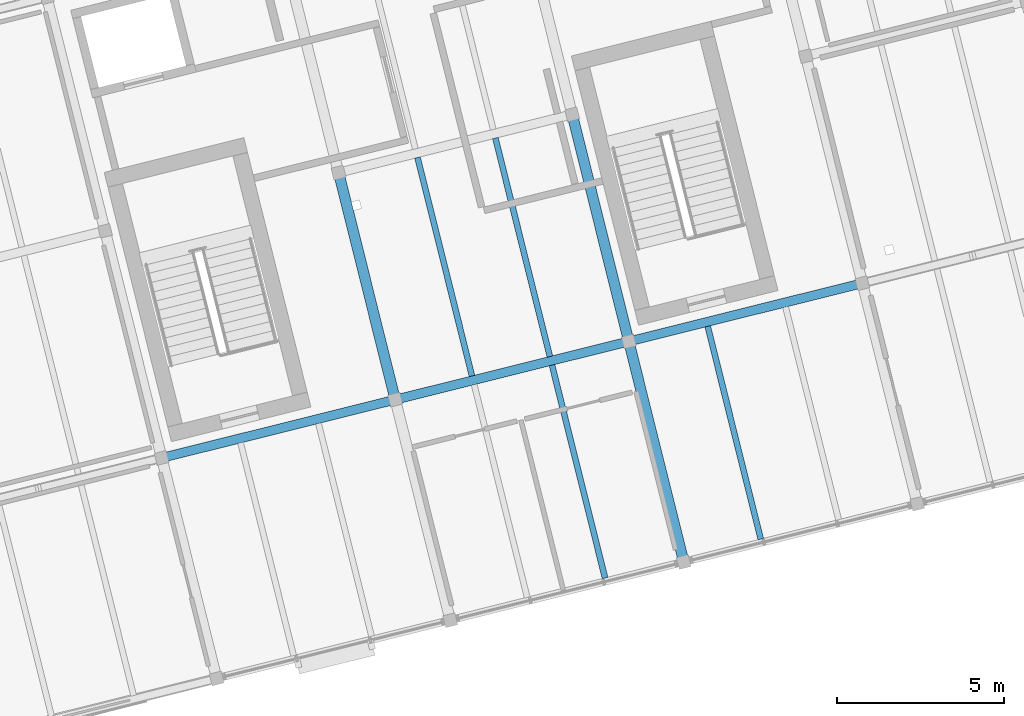
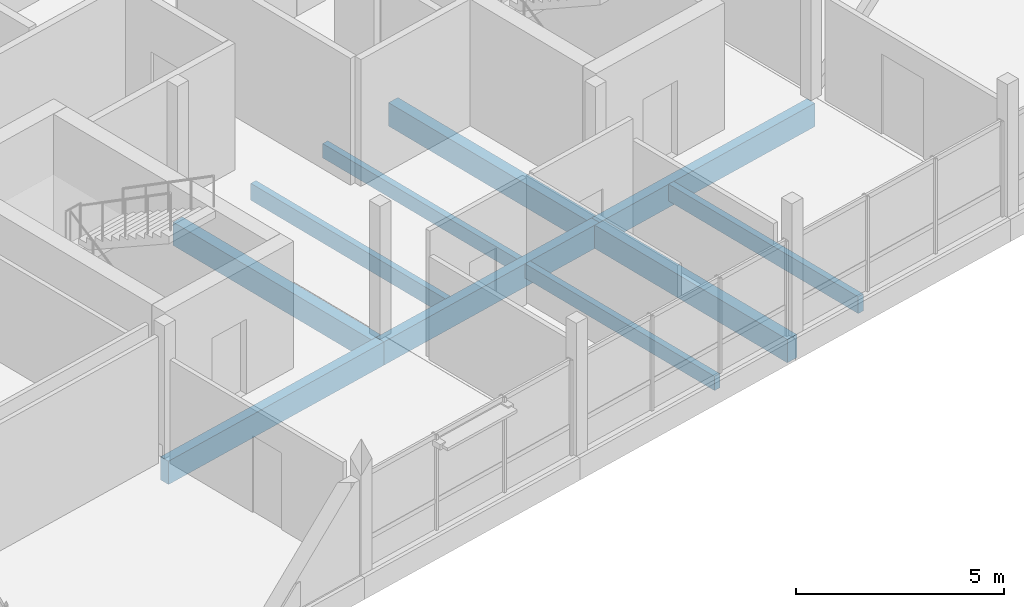
# One storey, part 6 of 28: 10 beams.
"""IFC4 building model written with IfcOpenShell, lengths in metres."""

from ifc_helpers import new_model, si_unit, direction, frame, origin, origin_2d, place, context, subcontext, project, spatial, rectangle, extrude, material, material_profile, profile_set, type_object, element, save


model = new_model("IFC4")

# Units and contexts
model_context = context("Model", 3, precision=1e-05, world=origin(), true_north=direction((0.0, 1.0)))
body_context = subcontext(model_context, "Body", "Model", "MODEL_VIEW")
ifc_project = project(units=[si_unit("LENGTHUNIT", "METRE"), si_unit("AREAUNIT", "SQUARE_METRE"), si_unit("VOLUMEUNIT", "CUBIC_METRE"), si_unit("PLANEANGLEUNIT", "RADIAN"), si_unit("MASSUNIT", "GRAM", prefix="KILO")], contexts=[model_context])

# Site, building, storey
site_placement = place(None, origin())
site = spatial("IfcSite", under=ifc_project, at=site_placement, CompositionType="ELEMENT")
building_placement = place(site_placement, origin())
building = spatial("IfcBuilding", under=site, at=building_placement, Name="Meriwether Solvik Hall", CompositionType="ELEMENT")
storey_placement = place(building_placement, frame((0.0, 0.0, 37.800048828125)))
storey = spatial("IfcBuildingStorey", under=building, at=storey_placement, Name="L09", CompositionType="ELEMENT", Elevation=37.800048828125)

# Beams
ifc_material_1 = material(Name="Glulam Douglas-Fir 24F-V8 GL28h", Category="wood")
ifc_material_profile_1 = material_profile(ifc_material_1, rectangle(XDim=0.27294921875, YDim=0.68505859375, at=origin_2d()), Name="GLB-273X685")
ifc_profile_set_1 = profile_set([ifc_material_profile_1], Name="Glulam Douglas-Fir 24F-V8 GL28h")
beam_type_1 = type_object("IfcBeamType", Name="BM-GL-273X685", PredefinedType="BEAM", material=ifc_profile_set_1)
beam_1_placement = place(storey_placement, frame((74.3291015625, 49.63671875, -0.5224609375), z_axis=(0.970301855688, 0.241897310542, 0.0), x_axis=(-0.241897310542, 0.970301855688, 0.0)))
element("IfcBeam", 1, at=beam_1_placement, inside=storey, type_object=beam_type_1, Name="Tower Girder TB:T2-T3 (L09)", PredefinedType="BEAM", context=body_context, shape_type="SweptSolid", body=[
    extrude(rectangle(XDim=0.27294921875, YDim=0.68505859375, at=origin_2d()), origin(), (0.0, 0.0, 1.0), 7.2001953125),
])
for number, where, z_axis, x_axis, name in (
    (2, (81.3154296875, 51.37841796875, -0.5224609375), (0.970291911955, 0.241937193493, 0.0), (-0.241937193493, 0.970291911955, 0.0), "Tower Girder TB:T3-T4 (L09)"),
    (3, (88.301513671875, 53.120361328125, -0.5224609375), (0.970299871507, 0.241905269381, 0.0), (-0.241905269381, 0.970299871507, 0.0), "Tower Girder TB:T4-T5 (L09)"),
):
    element("IfcBeam", number, at=place(storey_placement, frame(where, z_axis=z_axis, x_axis=x_axis)), inside=storey, type_object=beam_type_1, Name=name, PredefinedType="BEAM", context=body_context, shape_type="SweptSolid", body=[
        extrude(rectangle(XDim=0.27294921875, YDim=0.68505859375, at=origin_2d()), origin(), (0.0, 0.0, 1.0), 7.199951171875),
    ])
ifc_material_2 = material(Name="Glulam Douglas-Fir 24F-V8 GL28h", Category="wood")
ifc_material_profile_2 = material_profile(ifc_material_2, rectangle(XDim=0.31494140625, YDim=0.68505859375, at=origin_2d()), Name="GLB-315X685")
ifc_profile_set_2 = profile_set([ifc_material_profile_2], Name="Glulam Douglas-Fir 24F-V8 GL28h")
beam_type_2 = type_object("IfcBeamType", Name="BM-GL-315X685", PredefinedType="BEAM", material=ifc_profile_set_2)
beam_2_placement = place(storey_placement, frame((81.3154296875, 51.37841796875, -0.5224609375), z_axis=(-0.241944715397, 0.970290036376, 0.0), x_axis=(-0.970290036376, -0.241944715397, 0.0)))
element("IfcBeam", 4, at=beam_2_placement, inside=storey, type_object=beam_type_2, Name="Tower Girder T3:TB-TC (L09)", PredefinedType="BEAM", context=body_context, shape_type="SweptSolid", body=[
    extrude(rectangle(XDim=0.31494140625, YDim=0.68505859375, at=origin_2d()), origin(), (0.0, 0.0, 1.0), 7.0),
])
beam_3_placement = place(storey_placement, frame((89.946533203125, 46.522216796875, -0.5224609375), z_axis=(-0.24191045034, 0.970298579828, 0.0), x_axis=(-0.970298579828, -0.24191045034, 0.0)))
element("IfcBeam", 5, at=beam_3_placement, inside=storey, type_object=beam_type_2, Name="Tower Girder T4:TA-TB (L09)", PredefinedType="BEAM", context=body_context, shape_type="SweptSolid", body=[
    extrude(rectangle(XDim=0.31494140625, YDim=0.68505859375, at=origin_2d()), origin(), (0.0, 0.0, 1.0), 6.800048828125),
])
beam_4_placement = place(storey_placement, frame((88.301513671875, 53.120361328125, -0.5224609375), z_axis=(-0.241944715397, 0.970290036376, 0.0), x_axis=(-0.970290036376, -0.241944715397, 0.0)))
element("IfcBeam", 6, at=beam_4_placement, inside=storey, type_object=beam_type_2, Name="Tower Girder T4:TB-TC (L09)", PredefinedType="BEAM", context=body_context, shape_type="SweptSolid", body=[
    extrude(rectangle(XDim=0.31494140625, YDim=0.68505859375, at=origin_2d()), origin(), (0.0, 0.0, 1.0), 7.0),
])
ifc_material_3 = material(Name="Glulam Douglas-Fir 24F-V8 GL28h", Category="wood")
ifc_material_profile_3 = material_profile(ifc_material_3, rectangle(XDim=0.175048828125, YDim=0.419921875, at=origin_2d()), Name="GLJ-175X420")
ifc_profile_set_3 = profile_set([ifc_material_profile_3], Name="Glulam Douglas-Fir 24F-V8 GL28h")
beam_type_3 = type_object("IfcBeamType", Name="JST-GL-175X420", PredefinedType="JOIST", material=ifc_profile_set_3)
beam_5_placement = place(storey_placement, frame((87.592041015625, 46.04443359375, -0.39013671875), z_axis=(-0.241887817396, 0.970304222291, 0.0), x_axis=(-0.970304222291, -0.241887817396, 0.0)))
element("IfcBeam", 7, at=beam_5_placement, inside=storey, type_object=beam_type_3, Name="Glulam Floor Joist T3/TA-J2 (L09)", PredefinedType="JOIST", context=body_context, shape_type="SweptSolid", body=[
    extrude(rectangle(XDim=0.175048828125, YDim=0.419921875, at=origin_2d()), origin(), (0.0, 0.0, 1.0), 6.5625),
])
beam_6_placement = place(storey_placement, frame((85.94091796875, 52.667236328125, -0.39013671875), z_axis=(-0.241930176813, 0.9702936615, 0.0), x_axis=(-0.9702936615, -0.241930176813, 0.0)))
element("IfcBeam", 8, at=beam_6_placement, inside=storey, type_object=beam_type_3, Name="Glulam Floor Joist T3/TB-J2 (L09)", PredefinedType="JOIST", context=body_context, shape_type="SweptSolid", body=[
    extrude(rectangle(XDim=0.175048828125, YDim=0.419921875, at=origin_2d()), origin(), (0.0, 0.0, 1.0), 6.737060546875),
])
ifc_material_4 = material(Name="Glulam Douglas-Fir 24F-V8 GL28h", Category="wood")
ifc_material_profile_4 = material_profile(ifc_material_4, rectangle(XDim=0.175048828125, YDim=0.4951171875, at=origin_2d()), Name="GLJ-175X495")
ifc_profile_set_4 = profile_set([ifc_material_profile_4], Name="Glulam Douglas-Fir 24F-V8 GL28h")
beam_type_4 = type_object("IfcBeamType", Name="JST-GL-175X495", PredefinedType="JOIST", material=ifc_profile_set_4)
beam_7_placement = place(storey_placement, frame((83.6123046875, 52.086669921875, -0.427490234375), z_axis=(-0.241930176813, 0.9702936615, 0.0), x_axis=(-0.9702936615, -0.241930176813, 0.0)))
element("IfcBeam", 9, at=beam_7_placement, inside=storey, type_object=beam_type_4, Name="Glulam Floor Joist T3/TB-J1 (L09)", PredefinedType="JOIST", context=body_context, shape_type="SweptSolid", body=[
    extrude(rectangle(XDim=0.175048828125, YDim=0.4951171875, at=origin_2d()), origin(), (0.0, 0.0, 1.0), 6.737060546875),
])
beam_8_placement = place(storey_placement, frame((92.24951171875, 47.205810546875, -0.427490234375), z_axis=(-0.241931575219, 0.970293312824, 0.0), x_axis=(-0.970293312824, -0.241931575219, 0.0)))
element("IfcBeam", 10, at=beam_8_placement, inside=storey, type_object=beam_type_4, Name="Glulam Floor Joist T4/TA-J1 (L09)", PredefinedType="JOIST", context=body_context, shape_type="SweptSolid", body=[
    extrude(rectangle(XDim=0.175048828125, YDim=0.4951171875, at=origin_2d()), origin(), (0.0, 0.0, 1.0), 6.5625),
])

save(model, "model.ifc")
